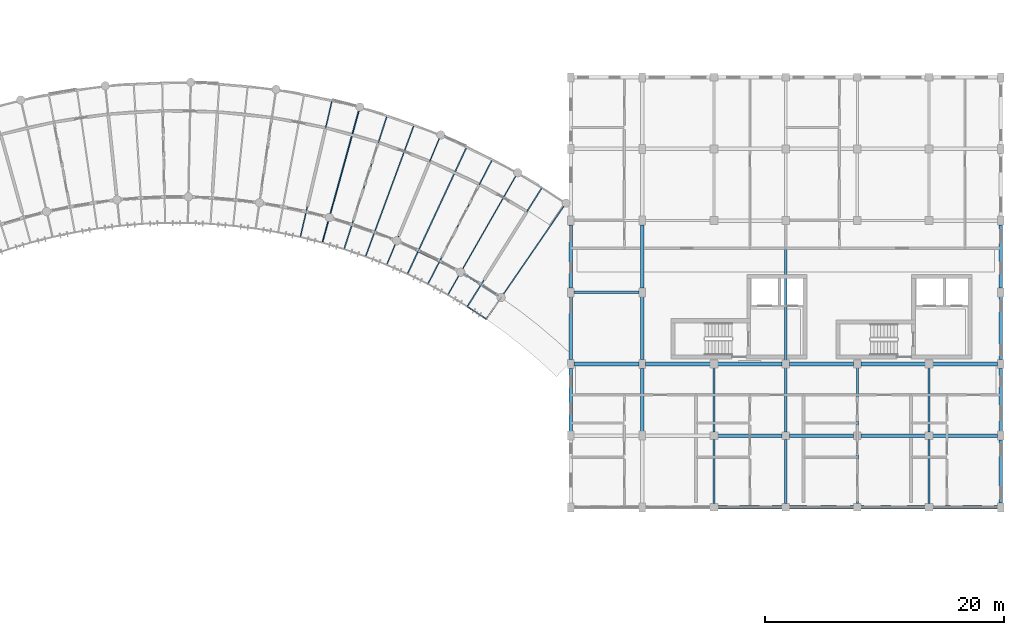
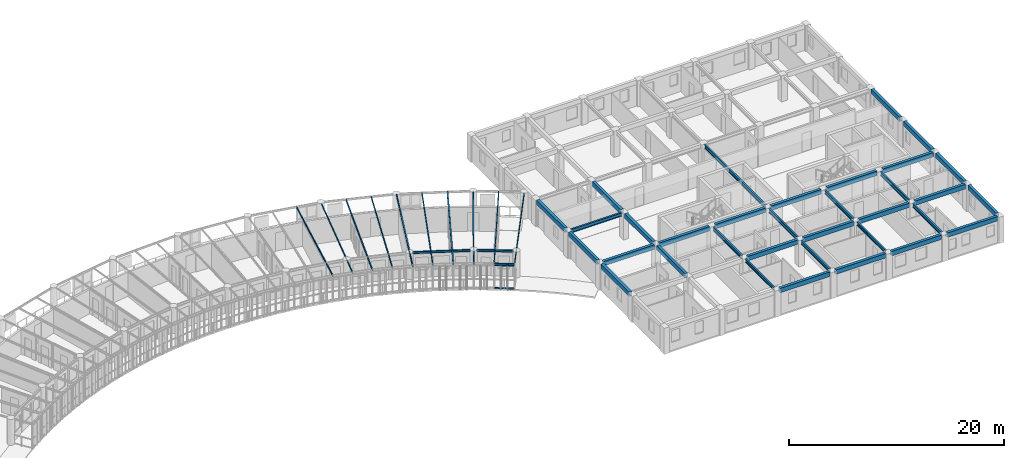
# One storey, part 38 of 100: 47 beams, 2 members.
"""IFC4 building model written with IfcOpenShell, lengths in metres."""

from ifc_helpers import new_model, si_unit, direction, frame, origin, origin_2d, place, context, subcontext, project, spatial, rectangle, hollow_rectangle, i_section, extrude, material, material_profile, profile_set, type_object, element, save


model = new_model("IFC4")

# Units and contexts
model_context = context("Model", 3, precision=1e-05, world=origin(), true_north=direction((0.0, 1.0)))
body_context = subcontext(model_context, "Body", "Model", "MODEL_VIEW")
ifc_project = project(units=[si_unit("LENGTHUNIT", "METRE"), si_unit("AREAUNIT", "SQUARE_METRE"), si_unit("VOLUMEUNIT", "CUBIC_METRE"), si_unit("PLANEANGLEUNIT", "RADIAN"), si_unit("MASSUNIT", "GRAM", prefix="KILO"), si_unit("POWERUNIT", "WATT"), si_unit("THERMODYNAMICTEMPERATUREUNIT", "KELVIN")], contexts=[model_context])

# Site, building, storey
site_placement = place(None, origin())
site = spatial("IfcSite", under=ifc_project, at=site_placement, CompositionType="ELEMENT")
building_placement = place(site_placement, origin())
building = spatial("IfcBuilding", under=site, at=building_placement, Name="Ruvembo Vaulted Housing Court", CompositionType="ELEMENT")
storey_placement = place(building_placement, frame((0.0, 0.0, 10.89990234375)))
storey = spatial("IfcBuildingStorey", under=building, at=storey_placement, Name="L03", CompositionType="ELEMENT", Elevation=10.89990234375)

# Beams
ifc_material_1 = material(Name="Steel S355J2", Category="steel")
ifc_material_profile_1 = material_profile(ifc_material_1, i_section(OverallWidth=0.08203125, OverallDepth=0.159912109375, WebThickness=0.0048828125, FlangeThickness=0.00732421875, FilletRadius=0.009033203125, at=origin_2d()), Name="IPE 160")
ifc_profile_set_1 = profile_set([ifc_material_profile_1], Name="Steel S355J2")
beam_type_1 = type_object("IfcBeamType", Name="BM-ST-IPE160", PredefinedType="JOIST", material=ifc_profile_set_1)
for number, where, z_axis, x_axis, name in (
    (1, (132.29248046875, 105.294189453125, 2.860107421875), (-0.266576495377, -0.963813764227, 0.0), (0.963813764227, -0.266576495377, 0.0), "Scoop SC3 L03 Radial Steel Joist 21"),
    (2, (139.0419921875, 102.966796875, 2.860107421875), (-0.384207721975, -0.923246676883, 0.0), (0.923246676883, -0.384207721975, 0.0), "Scoop SC3 L03 Radial Steel Joist 24"),
):
    element("IfcBeam", number, at=place(storey_placement, frame(where, z_axis=z_axis, x_axis=x_axis)), inside=storey, type_object=beam_type_1, Name=name, PredefinedType="JOIST", context=body_context, shape_type="SweptSolid", body=[
        extrude(i_section(OverallWidth=0.08203125, OverallDepth=0.159912109375, WebThickness=0.0048828125, FlangeThickness=0.00732421875, FilletRadius=0.009033203125, at=origin_2d()), origin(), (0.0, 0.0, 1.0), 11.610107421875),
    ])
beam_1_placement = place(storey_placement, frame((145.4501953125, 99.818603515625, 2.860107421875), z_axis=(-0.495898868664, -0.868380280786, 0.0), x_axis=(0.868380280786, -0.495898868664, 0.0)))
element("IfcBeam", 3, at=beam_1_placement, inside=storey, type_object=beam_type_1, Name="Scoop SC3 L03 Radial Steel Joist 27", PredefinedType="JOIST", context=body_context, shape_type="SweptSolid", body=[
    extrude(i_section(OverallWidth=0.08203125, OverallDepth=0.159912109375, WebThickness=0.0048828125, FlangeThickness=0.00732421875, FilletRadius=0.009033203125, at=origin_2d()), origin(), (0.0, 0.0, 1.0), 11.60986328125),
])
ifc_material_profile_2 = material_profile(ifc_material_1, i_section(OverallWidth=0.091064453125, OverallDepth=0.179931640625, WebThickness=0.00537109375, FlangeThickness=0.008056640625, FilletRadius=0.009033203125, at=origin_2d()), Name="IPE 180")
ifc_profile_set_2 = profile_set([ifc_material_profile_2], Name="Steel S355J2")
beam_type_2 = type_object("IfcBeamType", Name="BM-ST-IPE180", PredefinedType="JOIST", material=ifc_profile_set_2)
for number, where, z_axis, x_axis, name in (
    (4, (130.002685546875, 105.9599609375, 2.85009765625), (-0.226331039465, -0.974050440467, 0.0), (0.974050440467, -0.226331039465, 0.0), "Scoop SC3 L03 Radial Steel Joist 20"),
    (5, (136.852783203125, 103.91162109375, 2.85009765625), (-0.345551481909, -0.938399793985, 0.0), (0.938399793985, -0.345551481909, 0.0), "Scoop SC3 L03 Radial Steel Joist 23"),
):
    element("IfcBeam", number, at=place(storey_placement, frame(where, z_axis=z_axis, x_axis=x_axis)), inside=storey, type_object=beam_type_2, Name=name, PredefinedType="JOIST", context=body_context, shape_type="SweptSolid", body=[
        extrude(i_section(OverallWidth=0.091064453125, OverallDepth=0.179931640625, WebThickness=0.00537109375, FlangeThickness=0.008056640625, FilletRadius=0.009033203125, at=origin_2d()), origin(), (0.0, 0.0, 1.0), 11.69091796875),
    ])
beam_2_placement = place(storey_placement, frame((143.3955078125, 101.028076171875, 2.85009765625), z_axis=(-0.459450756353, -0.888203243907, 0.0), x_axis=(0.888203243907, -0.459450756353, 0.0)))
element("IfcBeam", 6, at=beam_2_placement, inside=storey, type_object=beam_type_2, Name="Scoop SC3 L03 Radial Steel Joist 26", PredefinedType="JOIST", context=body_context, shape_type="SweptSolid", body=[
    extrude(i_section(OverallWidth=0.091064453125, OverallDepth=0.179931640625, WebThickness=0.00537109375, FlangeThickness=0.008056640625, FilletRadius=0.009033203125, at=origin_2d()), origin(), (0.0, 0.0, 1.0), 11.690673828125),
])
beam_3_placement = place(storey_placement, frame((149.483642578125, 97.287841796875, 2.85009765625), z_axis=(-0.566205714572, -0.824263967905, 0.0), x_axis=(0.824263967905, -0.566205714572, 0.0)))
element("IfcBeam", 7, at=beam_3_placement, inside=storey, type_object=beam_type_2, Name="Scoop SC3 L03 Radial Steel Joist 29", PredefinedType="JOIST", context=body_context, shape_type="SweptSolid", body=[
    extrude(i_section(OverallWidth=0.091064453125, OverallDepth=0.179931640625, WebThickness=0.00537109375, FlangeThickness=0.008056640625, FilletRadius=0.009033203125, at=origin_2d()), origin(), (0.0, 0.0, 1.0), 11.610107421875),
])
ifc_material_profile_3 = material_profile(ifc_material_1, i_section(OverallWidth=0.10009765625, OverallDepth=0.199951171875, WebThickness=0.005615234375, FlangeThickness=0.008544921875, FilletRadius=0.011962890625, at=origin_2d()), Name="IPE 200")
ifc_profile_set_3 = profile_set([ifc_material_profile_3], Name="Steel S355J2")
beam_type_3 = type_object("IfcBeamType", Name="BM-ST-IPE200", PredefinedType="BEAM", material=ifc_profile_set_3)
beam_4_placement = place(storey_placement, frame((134.5986328125, 104.68896484375, 2.840087890625), z_axis=(-0.306337017889, -0.951923122669, 0.0), x_axis=(0.951923122669, -0.306337017889, 0.0)))
element("IfcBeam", 8, at=beam_4_placement, inside=storey, type_object=beam_type_3, Name="Scoop SC3 L03 Radial Steel Joist 22", PredefinedType="BEAM", context=body_context, shape_type="SweptSolid", body=[
    extrude(i_section(OverallWidth=0.10009765625, OverallDepth=0.199951171875, WebThickness=0.005615234375, FlangeThickness=0.008544921875, FilletRadius=0.011962890625, at=origin_2d()), origin(), (0.0, 0.0, 1.0), 11.690673828125),
])
beam_5_placement = place(storey_placement, frame((141.255126953125, 102.07958984375, 2.840087890625), z_axis=(-0.422190259357, -0.906507244816, 0.0), x_axis=(0.906507244816, -0.422190259357, 0.0)))
element("IfcBeam", 9, at=beam_5_placement, inside=storey, type_object=beam_type_3, Name="Scoop SC3 L03 Radial Steel Joist 25", PredefinedType="BEAM", context=body_context, shape_type="SweptSolid", body=[
    extrude(i_section(OverallWidth=0.10009765625, OverallDepth=0.199951171875, WebThickness=0.005615234375, FlangeThickness=0.008544921875, FilletRadius=0.011962890625, at=origin_2d()), origin(), (0.0, 0.0, 1.0), 11.69091796875),
])
beam_6_placement = place(storey_placement, frame((147.5625, 98.70556640625, 2.840087890625), z_axis=(-0.531512135198, -0.847050677432, 0.0), x_axis=(0.847050677432, -0.531512135198, 0.0)))
element("IfcBeam", 10, at=beam_6_placement, inside=storey, type_object=beam_type_3, Name="Scoop SC3 L03 Radial Steel Joist 28", PredefinedType="BEAM", context=body_context, shape_type="SweptSolid", body=[
    extrude(i_section(OverallWidth=0.10009765625, OverallDepth=0.199951171875, WebThickness=0.005615234375, FlangeThickness=0.008544921875, FilletRadius=0.011962890625, at=origin_2d()), origin(), (0.0, 0.0, 1.0), 11.740478515625),
])
ifc_material_profile_4 = material_profile(ifc_material_1, i_section(OverallWidth=0.110107421875, OverallDepth=0.219970703125, WebThickness=0.005859375, FlangeThickness=0.00927734375, FilletRadius=0.011962890625, at=origin_2d()), Name="IPE 220")
ifc_profile_set_4 = profile_set([ifc_material_profile_4], Name="Steel S355J2")
beam_type_4 = type_object("IfcBeamType", Name="BM-ST-IPE220", PredefinedType="SPANDREL", material=ifc_profile_set_4)
beam_7_placement = place(storey_placement, frame((141.343505859375, 88.794677734375, 2.830078125), z_axis=(0.835902452778, -0.548878027834, 0.0), x_axis=(0.548878027834, 0.835902452778, 0.0)))
element("IfcBeam", 11, at=beam_7_placement, inside=storey, type_object=beam_type_4, Name="Scoop SC3 L03 Balcony Edge Spandrel 28", PredefinedType="SPANDREL", context=body_context, shape_type="SweptSolid", body=[
    extrude(i_section(OverallWidth=0.110107421875, OverallDepth=0.219970703125, WebThickness=0.005859375, FlangeThickness=0.00927734375, FilletRadius=0.011962890625, at=origin_2d()), origin(), (0.0, 0.0, 1.0), 1.901123046875),
])
ifc_material_profile_5 = material_profile(ifc_material_1, i_section(OverallWidth=0.1201171875, OverallDepth=0.239990234375, WebThickness=0.006103515625, FlangeThickness=0.009765625, FilletRadius=0.014892578125, at=origin_2d()), Name="IPE 240")
ifc_profile_set_5 = profile_set([ifc_material_profile_5], Name="Steel S355J2")
beam_type_5 = type_object("IfcBeamType", Name="BM-ST-IPE240", PredefinedType="BEAM", material=ifc_profile_set_5)
beam_8_placement = place(storey_placement, frame((135.6484375, 94.21435546875, 2.822021484375), z_axis=(0.89755770808, -0.440896995528, 0.0), x_axis=(0.440896995528, 0.89755770808, 0.0)))
element("IfcBeam", 12, at=beam_8_placement, inside=storey, type_object=beam_type_5, Name="Scoop SC3 L03 Chord Girder F24", PredefinedType="BEAM", context=body_context, shape_type="SweptSolid", body=[
    extrude(i_section(OverallWidth=0.1201171875, OverallDepth=0.239990234375, WebThickness=0.006103515625, FlangeThickness=0.009765625, FilletRadius=0.014892578125, at=origin_2d()), origin(), (0.0, 0.0, 1.0), 5.513671875),
])
beam_9_placement = place(storey_placement, frame((140.998291015625, 91.559814453125, 2.822021484375), z_axis=(0.84705900203, -0.531498868371, 0.0), x_axis=(0.531498868371, 0.84705900203, 0.0)))
element("IfcBeam", 13, at=beam_9_placement, inside=storey, type_object=beam_type_5, Name="Scoop SC3 L03 Chord Girder F27", PredefinedType="BEAM", context=body_context, shape_type="SweptSolid", body=[
    extrude(i_section(OverallWidth=0.1201171875, OverallDepth=0.239990234375, WebThickness=0.006103515625, FlangeThickness=0.009765625, FilletRadius=0.014892578125, at=origin_2d()), origin(), (0.0, 0.0, 1.0), 3.524169921875),
])
ifc_material_profile_6 = material_profile(ifc_material_1, i_section(OverallWidth=0.169921875, OverallDepth=0.360107421875, WebThickness=0.008056640625, FlangeThickness=0.0126953125, FilletRadius=0.01806640625, at=origin_2d()), Name="IPE 360")
ifc_profile_set_6 = profile_set([ifc_material_profile_6], Name="Steel S355J2")
beam_type_6 = type_object("IfcBeamType", Name="BM-ST-IPE360", PredefinedType="BEAM", material=ifc_profile_set_6)
for number, where, z_axis, x_axis, name in (
    (14, (162.0, 72.31005859375, 2.74609375), (0.0, 1.0, 0.0), (-1.0, 0.0, 0.0), "L03 Grid Beam Y #1974"),
    (15, (174.0, 72.31005859375, 2.74609375), (0.0, 1.0, 0.0), (-1.0, 0.0, 0.0), "L03 Grid Beam Y #1983"),
):
    element("IfcBeam", number, at=place(storey_placement, frame(where, z_axis=z_axis, x_axis=x_axis)), inside=storey, type_object=beam_type_6, Name=name, PredefinedType="BEAM", context=body_context, shape_type="SweptSolid", body=[
        extrude(i_section(OverallWidth=0.169921875, OverallDepth=0.360107421875, WebThickness=0.008056640625, FlangeThickness=0.0126953125, FilletRadius=0.01806640625, at=origin_2d()), origin(), (0.0, 0.0, 1.0), 5.3798828125),
    ])
ifc_material_profile_7 = material_profile(ifc_material_1, i_section(OverallWidth=0.179931640625, OverallDepth=0.39990234375, WebThickness=0.008544921875, FlangeThickness=0.013427734375, FilletRadius=0.02099609375, at=origin_2d()), Name="IPE 400")
ifc_profile_set_7 = profile_set([ifc_material_profile_7], Name="Steel S355J2")
beam_type_7 = type_object("IfcBeamType", Name="BM-ST-IPE400", PredefinedType="BEAM", material=ifc_profile_set_7)
beam_10_placement = place(storey_placement, frame((150.260009765625, 90.0, 2.72607421875), z_axis=(1.0, 0.0, 0.0), x_axis=(0.0, 1.0, 0.0)))
element("IfcBeam", 16, at=beam_10_placement, inside=storey, type_object=beam_type_7, Name="L03 Grid Beam X #1819", PredefinedType="BEAM", context=body_context, shape_type="SweptSolid", body=[
    extrude(i_section(OverallWidth=0.179931640625, OverallDepth=0.39990234375, WebThickness=0.008544921875, FlangeThickness=0.013427734375, FilletRadius=0.02099609375, at=origin_2d()), origin(), (0.0, 0.0, 1.0), 5.47998046875),
])
for number, where, z_axis, x_axis, name in (
    (17, (162.0, 78.31005859375, 2.72607421875), (0.0, 1.0, 0.0), (-1.0, 0.0, 0.0), "L03 Grid Beam Y #1975"),
    (18, (168.0, 72.31005859375, 2.72607421875), (0.0, 1.0, 0.0), (-1.0, 0.0, 0.0), "L03 Grid Beam Y #1978"),
):
    element("IfcBeam", number, at=place(storey_placement, frame(where, z_axis=z_axis, x_axis=x_axis)), inside=storey, type_object=beam_type_7, Name=name, PredefinedType="BEAM", context=body_context, shape_type="SweptSolid", body=[
        extrude(i_section(OverallWidth=0.179931640625, OverallDepth=0.39990234375, WebThickness=0.008544921875, FlangeThickness=0.013427734375, FilletRadius=0.02099609375, at=origin_2d()), origin(), (0.0, 0.0, 1.0), 5.3798828125),
    ])
beam_11_placement = place(storey_placement, frame((168.0, 84.31005859375, 2.72607421875), z_axis=(0.0, 1.0, 0.0), x_axis=(-1.0, 0.0, 0.0)))
element("IfcBeam", 19, at=beam_11_placement, inside=storey, type_object=beam_type_7, Name="L03 Grid Beam Y #1980", PredefinedType="BEAM", context=body_context, shape_type="SweptSolid", body=[
    extrude(i_section(OverallWidth=0.179931640625, OverallDepth=0.39990234375, WebThickness=0.008544921875, FlangeThickness=0.013427734375, FilletRadius=0.02099609375, at=origin_2d()), origin(), (0.0, 0.0, 1.0), 11.3798828125),
])
for number, where, z_axis, x_axis, name in (
    (20, (174.0, 78.31005859375, 2.72607421875), (0.0, 1.0, 0.0), (-1.0, 0.0, 0.0), "L03 Grid Beam Y #1984"),
    (21, (180.0, 72.31005859375, 2.72607421875), (0.0, 1.0, 0.0), (-1.0, 0.0, 0.0), "L03 Grid Beam Y #1987"),
):
    element("IfcBeam", number, at=place(storey_placement, frame(where, z_axis=z_axis, x_axis=x_axis)), inside=storey, type_object=beam_type_7, Name=name, PredefinedType="BEAM", context=body_context, shape_type="SweptSolid", body=[
        extrude(i_section(OverallWidth=0.179931640625, OverallDepth=0.39990234375, WebThickness=0.008544921875, FlangeThickness=0.013427734375, FilletRadius=0.02099609375, at=origin_2d()), origin(), (0.0, 0.0, 1.0), 5.3798828125),
    ])
ifc_material_profile_8 = material_profile(ifc_material_1, i_section(OverallWidth=0.18994140625, OverallDepth=0.449951171875, WebThickness=0.009521484375, FlangeThickness=0.0146484375, FilletRadius=0.02099609375, at=origin_2d()), Name="IPE 450")
ifc_profile_set_8 = profile_set([ifc_material_profile_8], Name="Steel S355J2")
beam_type_8 = type_object("IfcBeamType", Name="BM-ST-IPE450", PredefinedType="BEAM", material=ifc_profile_set_8)
for number, where, z_axis, x_axis, name in (
    (22, (168.0, 78.31005859375, 2.701171875), (0.0, 1.0, 0.0), (-1.0, 0.0, 0.0), "L03 Grid Beam Y #1979"),
    (23, (180.0, 78.31005859375, 2.701171875), (0.0, 1.0, 0.0), (-1.0, 0.0, 0.0), "L03 Grid Beam Y #1988"),
):
    element("IfcBeam", number, at=place(storey_placement, frame(where, z_axis=z_axis, x_axis=x_axis)), inside=storey, type_object=beam_type_8, Name=name, PredefinedType="BEAM", context=body_context, shape_type="SweptSolid", body=[
        extrude(i_section(OverallWidth=0.18994140625, OverallDepth=0.449951171875, WebThickness=0.009521484375, FlangeThickness=0.0146484375, FilletRadius=0.02099609375, at=origin_2d()), origin(), (0.0, 0.0, 1.0), 5.3798828125),
    ])

# Members
ifc_material_profile_9 = material_profile(ifc_material_1, hollow_rectangle(XDim=0.06005859375, YDim=0.1201171875, WallThickness=0.0048828125, InnerFilletRadius=0.0048828125, OuterFilletRadius=0.010009765625, at=origin_2d()), Name="RHS 120x60x5")
ifc_profile_set_9 = profile_set([ifc_material_profile_9], Name="Steel S355J2")
member_type_1 = type_object("IfcMemberType", Name="MEM-CAR-RHS120", PredefinedType="CHORD", material=ifc_profile_set_9)
member_1_placement = place(storey_placement, frame((141.343505859375, 88.794677734375, 2.6630859375), z_axis=(0.835902452778, -0.548878027834, 0.0), x_axis=(0.548878027834, 0.835902452778, 0.0)))
element("IfcMember", 24, at=member_1_placement, inside=storey, type_object=member_type_1, Name="Scoop SC3 L03 Upper Louvre Carrier Rail 28", PredefinedType="CHORD", context=body_context, shape_type="SweptSolid", body=[
    extrude(hollow_rectangle(XDim=0.06005859375, YDim=0.1201171875, WallThickness=0.0048828125, InnerFilletRadius=0.0048828125, OuterFilletRadius=0.010009765625, at=origin_2d()), origin(), (0.0, 0.0, 1.0), 1.901123046875),
])
ifc_material_profile_10 = material_profile(ifc_material_1, hollow_rectangle(XDim=0.080078125, YDim=0.14990234375, WallThickness=0.00634765625, InnerFilletRadius=0.00634765625, OuterFilletRadius=0.0126953125, at=origin_2d()), Name="RHS 150x80x6.3")
ifc_profile_set_10 = profile_set([ifc_material_profile_10], Name="Steel S355J2")
member_type_2 = type_object("IfcMemberType", Name="MEM-CAR-RHS150", PredefinedType="CHORD", material=ifc_profile_set_10)
member_2_placement = place(storey_placement, frame((141.343505859375, 88.794677734375, 0.09521484375), z_axis=(0.835902452778, -0.548878027834, 0.0), x_axis=(0.548878027834, 0.835902452778, 0.0)))
element("IfcMember", 25, at=member_2_placement, inside=storey, type_object=member_type_2, Name="Scoop SC3 L03 Lower Louvre Carrier Rail 28", PredefinedType="CHORD", context=body_context, shape_type="SweptSolid", body=[
    extrude(hollow_rectangle(XDim=0.080078125, YDim=0.14990234375, WallThickness=0.00634765625, InnerFilletRadius=0.00634765625, OuterFilletRadius=0.0126953125, at=origin_2d()), origin(), (0.0, 0.0, 1.0), 1.901123046875),
])

# Beams
ifc_material_2 = material(Name="Concrete C35/45", Category="concrete")
ifc_material_profile_11 = material_profile(ifc_material_2, rectangle(XDim=0.300048828125, YDim=0.5, at=origin_2d()), Name="RC 300x500")
ifc_profile_set_11 = profile_set([ifc_material_profile_11], Name="Concrete C35/45")
beam_type_9 = type_object("IfcBeamType", Name="SP-RC-300x500", PredefinedType="SPANDREL", material=ifc_profile_set_11)
for number, where, z_axis, x_axis, name in (
    (26, (162.31005859375, 72.0, 2.710205078125), (1.0, 0.0, 0.0), (0.0, 1.0, 0.0), "L03 Grid Beam X #1785"),
    (27, (168.31005859375, 72.0, 2.710205078125), (1.0, 0.0, 0.0), (0.0, 1.0, 0.0), "L03 Grid Beam X #1786"),
    (28, (174.31005859375, 72.0, 2.710205078125), (1.0, 0.0, 0.0), (0.0, 1.0, 0.0), "L03 Grid Beam X #1787"),
):
    element("IfcBeam", number, at=place(storey_placement, frame(where, z_axis=z_axis, x_axis=x_axis)), inside=storey, type_object=beam_type_9, Name=name, PredefinedType="SPANDREL", context=body_context, shape_type="SweptSolid", body=[
        extrude(rectangle(XDim=0.300048828125, YDim=0.5, at=origin_2d()), origin(), (0.0, 0.0, 1.0), 5.3798828125),
    ])
beam_12_placement = place(storey_placement, frame((180.31005859375, 72.0, 2.710205078125), z_axis=(1.0, 0.0, 0.0), x_axis=(0.0, 1.0, 0.0)))
element("IfcBeam", 29, at=beam_12_placement, inside=storey, type_object=beam_type_9, Name="L03 Grid Beam X #1788", PredefinedType="SPANDREL", context=body_context, shape_type="SweptSolid", body=[
    extrude(rectangle(XDim=0.300048828125, YDim=0.5, at=origin_2d()), origin(), (0.0, 0.0, 1.0), 5.429931640625),
])
for number, where, z_axis, x_axis, name in (
    (30, (162.31005859375, 78.0, 2.710205078125), (1.0, 0.0, 0.0), (0.0, 1.0, 0.0), "L03 Grid Beam X #1797"),
    (31, (168.31005859375, 78.0, 2.710205078125), (1.0, 0.0, 0.0), (0.0, 1.0, 0.0), "L03 Grid Beam X #1798"),
    (32, (174.31005859375, 78.0, 2.710205078125), (1.0, 0.0, 0.0), (0.0, 1.0, 0.0), "L03 Grid Beam X #1799"),
):
    element("IfcBeam", number, at=place(storey_placement, frame(where, z_axis=z_axis, x_axis=x_axis)), inside=storey, type_object=beam_type_9, Name=name, PredefinedType="SPANDREL", context=body_context, shape_type="SweptSolid", body=[
        extrude(rectangle(XDim=0.300048828125, YDim=0.5, at=origin_2d()), origin(), (0.0, 0.0, 1.0), 5.3798828125),
    ])
beam_13_placement = place(storey_placement, frame((180.31005859375, 78.0, 2.710205078125), z_axis=(1.0, 0.0, 0.0), x_axis=(0.0, 1.0, 0.0)))
element("IfcBeam", 33, at=beam_13_placement, inside=storey, type_object=beam_type_9, Name="L03 Grid Beam X #1800", PredefinedType="SPANDREL", context=body_context, shape_type="SweptSolid", body=[
    extrude(rectangle(XDim=0.300048828125, YDim=0.5, at=origin_2d()), origin(), (0.0, 0.0, 1.0), 5.429931640625),
])
beam_14_placement = place(storey_placement, frame((150.260009765625, 84.0, 2.710205078125), z_axis=(1.0, 0.0, 0.0), x_axis=(0.0, 1.0, 0.0)))
element("IfcBeam", 34, at=beam_14_placement, inside=storey, type_object=beam_type_9, Name="L03 Grid Beam X #1807", PredefinedType="SPANDREL", context=body_context, shape_type="SweptSolid", body=[
    extrude(rectangle(XDim=0.300048828125, YDim=0.5, at=origin_2d()), origin(), (0.0, 0.0, 1.0), 5.47998046875),
])
beam_15_placement = place(storey_placement, frame((156.260009765625, 84.0, 2.710205078125), z_axis=(1.0, 0.0, 0.0), x_axis=(0.0, 1.0, 0.0)))
element("IfcBeam", 35, at=beam_15_placement, inside=storey, type_object=beam_type_9, Name="L03 Grid Beam X #1808", PredefinedType="SPANDREL", context=body_context, shape_type="SweptSolid", body=[
    extrude(rectangle(XDim=0.300048828125, YDim=0.5, at=origin_2d()), origin(), (0.0, 0.0, 1.0), 5.429931640625),
])
for number, where, z_axis, x_axis, name in (
    (36, (162.31005859375, 84.0, 2.710205078125), (1.0, 0.0, 0.0), (0.0, 1.0, 0.0), "L03 Grid Beam X #1809"),
    (37, (168.31005859375, 84.0, 2.710205078125), (1.0, 0.0, 0.0), (0.0, 1.0, 0.0), "L03 Grid Beam X #1810"),
    (38, (174.31005859375, 84.0, 2.710205078125), (1.0, 0.0, 0.0), (0.0, 1.0, 0.0), "L03 Grid Beam X #1811"),
):
    element("IfcBeam", number, at=place(storey_placement, frame(where, z_axis=z_axis, x_axis=x_axis)), inside=storey, type_object=beam_type_9, Name=name, PredefinedType="SPANDREL", context=body_context, shape_type="SweptSolid", body=[
        extrude(rectangle(XDim=0.300048828125, YDim=0.5, at=origin_2d()), origin(), (0.0, 0.0, 1.0), 5.3798828125),
    ])
beam_16_placement = place(storey_placement, frame((180.31005859375, 84.0, 2.710205078125), z_axis=(1.0, 0.0, 0.0), x_axis=(0.0, 1.0, 0.0)))
element("IfcBeam", 39, at=beam_16_placement, inside=storey, type_object=beam_type_9, Name="L03 Grid Beam X #1812", PredefinedType="SPANDREL", context=body_context, shape_type="SweptSolid", body=[
    extrude(rectangle(XDim=0.300048828125, YDim=0.5, at=origin_2d()), origin(), (0.0, 0.0, 1.0), 5.429931640625),
])
for number, where, z_axis, x_axis, name in (
    (40, (150.0, 78.360107421875, 2.710205078125), (0.0, 1.0, 0.0), (-1.0, 0.0, 0.0), "L03 Grid Beam Y #1963"),
    (41, (150.0, 84.360107421875, 2.710205078125), (0.0, 1.0, 0.0), (-1.0, 0.0, 0.0), "L03 Grid Beam Y #1964"),
    (42, (150.0, 90.360107421875, 2.710205078125), (0.0, 1.0, 0.0), (-1.0, 0.0, 0.0), "L03 Grid Beam Y #1965"),
    (43, (156.0, 78.360107421875, 2.710205078125), (0.0, 1.0, 0.0), (-1.0, 0.0, 0.0), "L03 Grid Beam Y #1969"),
    (44, (156.0, 84.360107421875, 2.710205078125), (0.0, 1.0, 0.0), (-1.0, 0.0, 0.0), "L03 Grid Beam Y #1970"),
    (45, (156.0, 90.360107421875, 2.710205078125), (0.0, 1.0, 0.0), (-1.0, 0.0, 0.0), "L03 Grid Beam Y #1971"),
    (46, (186.0, 72.360107421875, 2.710205078125), (0.0, 1.0, 0.0), (-1.0, 0.0, 0.0), "L03 Grid Beam Y #1991"),
    (47, (186.0, 78.360107421875, 2.710205078125), (0.0, 1.0, 0.0), (-1.0, 0.0, 0.0), "L03 Grid Beam Y #1992"),
    (48, (186.0, 84.360107421875, 2.710205078125), (0.0, 1.0, 0.0), (-1.0, 0.0, 0.0), "L03 Grid Beam Y #1993"),
    (49, (186.0, 90.360107421875, 2.710205078125), (0.0, 1.0, 0.0), (-1.0, 0.0, 0.0), "L03 Grid Beam Y #1994"),
):
    element("IfcBeam", number, at=place(storey_placement, frame(where, z_axis=z_axis, x_axis=x_axis)), inside=storey, type_object=beam_type_9, Name=name, PredefinedType="SPANDREL", context=body_context, shape_type="SweptSolid", body=[
        extrude(rectangle(XDim=0.300048828125, YDim=0.5, at=origin_2d()), origin(), (0.0, 0.0, 1.0), 5.27978515625),
    ])

save(model, "model.ifc")
